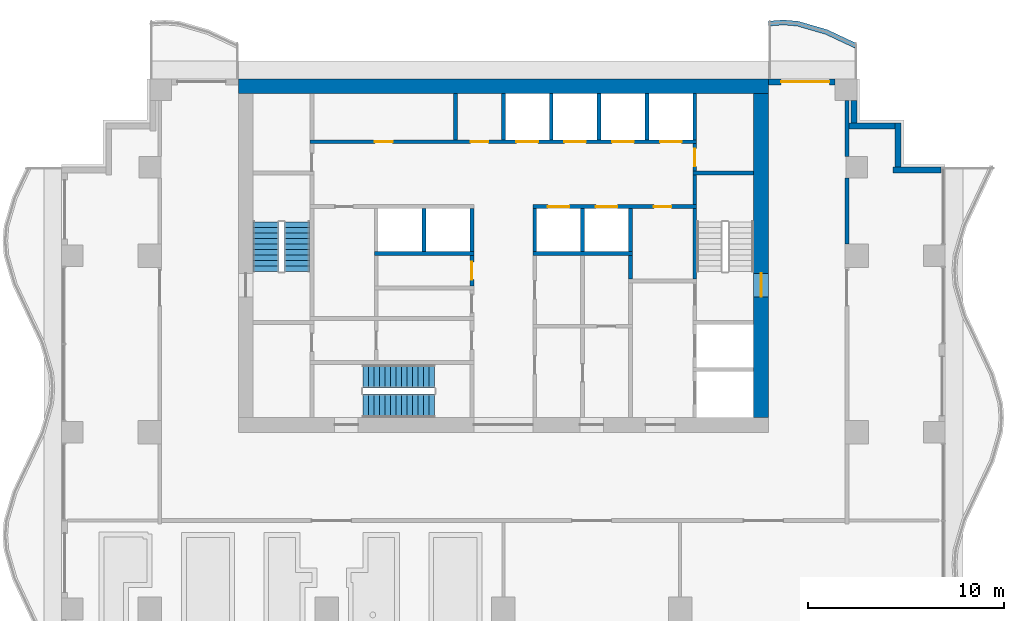
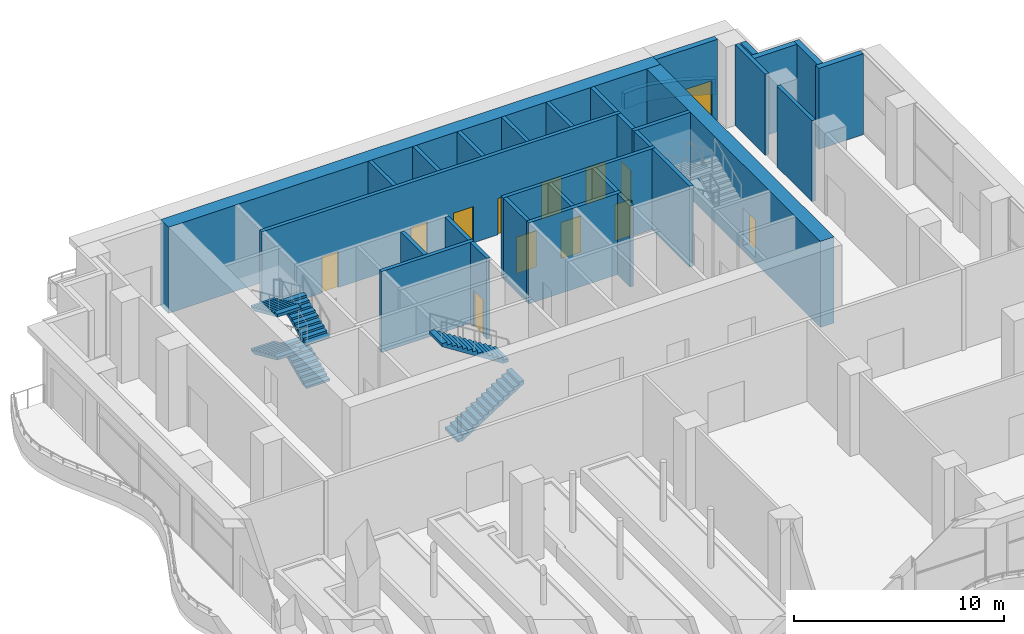
# One storey, part 10 of 16: 31 walls, 13 doors, 6 stair flights, 13 openings, 2 elements without a shape of their own.
"""IFC4 building model written with IfcOpenShell, lengths in metres."""

from ifc_helpers import new_model, si_unit, direction, frame, frame_2d, origin, place, context, subcontext, project, spatial, polyline, rectangle, outline, extrude, material, layer, layer_set, type_object, element, fill, aggregate, save


model = new_model("IFC4")

# Units and contexts
model_context = context("Model", 3, precision=1e-05, world=origin(), true_north=direction((0.0, 1.0)))
body_context = subcontext(model_context, "Body", "Model", "MODEL_VIEW")
ifc_project = project(units=[si_unit("LENGTHUNIT", "METRE"), si_unit("AREAUNIT", "SQUARE_METRE"), si_unit("VOLUMEUNIT", "CUBIC_METRE"), si_unit("PLANEANGLEUNIT", "RADIAN"), si_unit("MASSUNIT", "GRAM", prefix="KILO")], contexts=[model_context])

# Site, building, storey
site_placement = place(None, origin())
site = spatial("IfcSite", under=ifc_project, at=site_placement, CompositionType="ELEMENT")
building_placement = place(site_placement, origin())
building = spatial("IfcBuilding", under=site, at=building_placement, Name="Orbiselva Terraces", CompositionType="ELEMENT")
storey_placement = place(building_placement, frame((0.0, 0.0, 174.4)))
storey = spatial("IfcBuildingStorey", under=building, at=storey_placement, Name="L44", CompositionType="ELEMENT", Elevation=174.4)

# Wall, opening, door
ifc_material_1 = material(Name="Concrete C80/95", Category="concrete")
ifc_layer_1 = layer(ifc_material_1, 0.75)
ifc_layer_set_1 = layer_set([ifc_layer_1], Name="Concrete C80/95")
wall_type_1 = type_object("IfcWallType", Name="CORE WALL 750", PredefinedType="SHEAR", material=ifc_layer_set_1)
wall_1_placement = place(storey_placement, frame((13.125, 5.25, -0.3), z_axis=(0.0, 0.0, 1.0), x_axis=(0.0, 1.0, 0.0)))
wall_1 = element("IfcWall", 1, at=wall_1_placement, inside=storey, type_object=wall_type_1, Name="Core wall L44 east", PredefinedType="SHEAR", context=body_context, shape_type="SweptSolid", body=[
    extrude(rectangle(XDim=16.5, YDim=0.75, at=frame_2d((8.25, 0.0))), origin(), (0.0, 0.0, 1.0), 5.0),
])
opening_1_placement = place(wall_1_placement, frame((6.15, 0.0, 0.3)))
opening_1 = element("IfcOpeningElement", 2, at=opening_1_placement, cuts=wall_1, Name="Opening DS1200", PredefinedType="OPENING", context=body_context, shape_type="SweptSolid", body=[
    extrude(rectangle(XDim=1.2, YDim=2.2, at=frame_2d((0.6, 1.1))), frame((0.0, 0.385, 0.0), z_axis=(0.0, -1.0, 0.0), x_axis=(1.0, 0.0, 0.0)), (0.0, 0.0, 1.0), 0.77),
])
ifc_material_2 = material(Name="Steel fire door", Category="steel")
door_type_1 = type_object("IfcDoorType", Name="STAIR DOOR 1200", OperationType="NOTDEFINED", PredefinedType="DOOR", material=ifc_material_2)
door_1_placement = place(opening_1_placement, frame((1.2, 0.0, 0.0), z_axis=(0.0, 0.0, 1.0), x_axis=(-1.0, 0.0, 0.0)))
door_1 = element("IfcDoor", 3, at=door_1_placement, inside=storey, type_object=door_type_1, Name="L44 EXIT STAIR S2 door", OperationType="SINGLE_SWING_LEFT", OverallHeight=2.2, OverallWidth=1.2, PredefinedType="DOOR", context=body_context, shape_type="SweptSolid", body=[
    extrude(rectangle(XDim=1.2, YDim=2.2, at=frame_2d((0.6, 1.1))), frame((0.0, 0.025, 0.0), z_axis=(0.0, -1.0, 0.0), x_axis=(1.0, 0.0, 0.0)), (0.0, 0.0, 1.0), 0.05),
])
fill(opening_1, door_1)

# Walls
ifc_layer_2 = layer(ifc_material_1, 0.75)
ifc_layer_set_2 = layer_set([ifc_layer_2], Name="Concrete C80/95")
wall_type_2 = type_object("IfcWallType", Name="CORE WALL 750 EXTERNAL", PredefinedType="SHEAR", material=ifc_layer_set_2)
wall_2_placement = place(storey_placement, frame((13.5, 22.125, -0.3), z_axis=(0.0, 0.0, 1.0), x_axis=(-1.0, 0.0, 0.0)))
element("IfcWall", 4, at=wall_2_placement, inside=storey, type_object=wall_type_2, Name="Core wall L44 north", PredefinedType="SHEAR", context=body_context, shape_type="SweptSolid", body=[
    extrude(rectangle(XDim=27.0, YDim=0.75, at=frame_2d((13.5, 0.0))), origin(), (0.0, 0.0, 1.0), 5.0),
])
ifc_material_3 = material(Name="Masonry blockwork", Category="masonry")
ifc_layer_3 = layer(ifc_material_3, 0.2)
ifc_layer_set_3 = layer_set([ifc_layer_3], Name="Masonry blockwork")
wall_type_3 = type_object("IfcWallType", Name="CORE-WALL-PARTITION-200", PredefinedType="PARTITIONING", material=ifc_layer_set_3)
wall_3_placement = place(storey_placement, frame((-2.4375, 19.4, 0.0), z_axis=(0.0, 0.0, 1.0), x_axis=(0.0, 1.0, 0.0)))
element("IfcWall", 5, at=wall_3_placement, inside=storey, type_object=wall_type_3, Name="L44 core wall 20", PredefinedType="PARTITIONING", context=body_context, shape_type="SweptSolid", body=[
    extrude(rectangle(XDim=2.35, YDim=0.2, at=frame_2d((1.175, 0.0))), origin(), (0.0, 0.0, 1.0), 4.7),
])

# Wall, opening, door
wall_4_placement = place(storey_placement, frame((-1.6, 11.95, 0.0), z_axis=(0.0, 0.0, 1.0), x_axis=(0.0, 1.0, 0.0)))
wall_4 = element("IfcWall", 6, at=wall_4_placement, inside=storey, type_object=wall_type_3, Name="L44 core wall 24", PredefinedType="PARTITIONING", context=body_context, shape_type="SweptSolid", body=[
    extrude(rectangle(XDim=1.55, YDim=0.2, at=frame_2d((0.775, 0.0))), origin(), (0.0, 0.0, 1.0), 4.7),
])
opening_2_placement = place(wall_4_placement, frame((0.325, 0.0, 0.0)))
opening_2 = element("IfcOpeningElement", 7, at=opening_2_placement, cuts=wall_4, Name="Opening DR900", PredefinedType="OPENING", context=body_context, shape_type="SweptSolid", body=[
    extrude(rectangle(XDim=0.9, YDim=2.1, at=frame_2d((0.45, 1.05))), frame((0.0, 0.11, 0.0), z_axis=(0.0, -1.0, 0.0), x_axis=(1.0, 0.0, 0.0)), (0.0, 0.0, 1.0), 0.22),
])
door_type_2 = type_object("IfcDoorType", Name="ROOM DOOR 900", OperationType="NOTDEFINED", PredefinedType="DOOR", material=ifc_material_2)
door_2_placement = place(opening_2_placement, origin())
door_2 = element("IfcDoor", 8, at=door_2_placement, inside=storey, type_object=door_type_2, Name="L44 LINEN STORE door", OperationType="SINGLE_SWING_LEFT", OverallHeight=2.1, OverallWidth=0.9, PredefinedType="DOOR", context=body_context, shape_type="SweptSolid", body=[
    extrude(rectangle(XDim=0.9, YDim=2.1, at=frame_2d((0.45, 1.05))), frame((0.0, 0.025, 0.0), z_axis=(0.0, -1.0, 0.0), x_axis=(1.0, 0.0, 0.0)), (0.0, 0.0, 1.0), 0.05),
])
fill(opening_2, door_2)

# Wall
wall_5_placement = place(storey_placement, frame((6.475, 12.3, 0.0), z_axis=(0.0, 0.0, 1.0), x_axis=(0.0, 1.0, 0.0)))
element("IfcWall", 9, at=wall_5_placement, inside=storey, type_object=wall_type_3, Name="L44 core wall 41", PredefinedType="PARTITIONING", context=body_context, shape_type="SweptSolid", body=[
    extrude(rectangle(XDim=1.2, YDim=0.2, at=frame_2d((0.6, 0.0))), origin(), (0.0, 0.0, 1.0), 4.7),
])

# Wall, opening, door
wall_6_placement = place(storey_placement, frame((9.75, 19.2, 0.0), z_axis=(0.0, 0.0, 1.0), x_axis=(0.0, -1.0, 0.0)))
wall_6 = element("IfcWall", 10, at=wall_6_placement, inside=storey, type_object=wall_type_3, Name="L44 core wall 52", PredefinedType="PARTITIONING", context=body_context, shape_type="SweptSolid", body=[
    extrude(rectangle(XDim=1.4, YDim=0.2, at=frame_2d((0.7, 0.0))), origin(), (0.0, 0.0, 1.0), 4.7),
])
opening_3_placement = place(wall_6_placement, frame((0.25, 0.0, 0.0)))
opening_3 = element("IfcOpeningElement", 11, at=opening_3_placement, cuts=wall_6, Name="Opening DR900", PredefinedType="OPENING", context=body_context, shape_type="SweptSolid", body=[
    extrude(rectangle(XDim=0.9, YDim=2.1, at=frame_2d((0.45, 1.05))), frame((0.0, 0.11, 0.0), z_axis=(0.0, -1.0, 0.0), x_axis=(1.0, 0.0, 0.0)), (0.0, 0.0, 1.0), 0.22),
])
door_3_placement = place(opening_3_placement, origin())
door_3 = element("IfcDoor", 12, at=door_3_placement, inside=storey, type_object=door_type_2, Name="L44 ELECTRICAL RISER ROOM door", OperationType="SINGLE_SWING_RIGHT", OverallHeight=2.1, OverallWidth=0.9, PredefinedType="DOOR", context=body_context, shape_type="SweptSolid", body=[
    extrude(rectangle(XDim=0.9, YDim=2.1, at=frame_2d((0.45, 1.05))), frame((0.0, 0.025, 0.0), z_axis=(0.0, -1.0, 0.0), x_axis=(1.0, 0.0, 0.0)), (0.0, 0.0, 1.0), 0.05),
])
fill(opening_3, door_3)

# Walls
ifc_material_4 = material(Name="Concrete C40/50", Category="concrete")
ifc_layer_4 = layer(ifc_material_4, 0.2)
ifc_layer_set_4 = layer_set([ifc_layer_4], Name="Concrete C40/50")
wall_type_4 = type_object("IfcWallType", Name="CORE-WALL-SHAFT-200", PredefinedType="PARTITIONING", material=ifc_layer_set_4)
for number, where, z_axis, x_axis, name in (
    (13, (-4.0375, 13.7, 0.0), (0.0, 0.0, 1.0), (0.0, 1.0, 0.0), "L44 core wall 19"),
    (14, (-1.6, 13.7, 0.0), (0.0, 0.0, 1.0), (0.0, 1.0, 0.0), "L44 core wall 25"),
):
    element("IfcWall", number, at=place(storey_placement, frame(where, z_axis=z_axis, x_axis=x_axis)), inside=storey, type_object=wall_type_4, Name=name, PredefinedType="PARTITIONING", context=body_context, shape_type="SweptSolid", body=[
        extrude(rectangle(XDim=2.2, YDim=0.2, at=frame_2d((1.1, 0.0))), origin(), (0.0, 0.0, 1.0), 4.7),
    ])
wall_7_placement = place(storey_placement, frame((0.0, 19.4, 0.0), z_axis=(0.0, 0.0, 1.0), x_axis=(0.0, 1.0, 0.0)))
element("IfcWall", 15, at=wall_7_placement, inside=storey, type_object=wall_type_4, Name="L44 core wall 26", PredefinedType="PARTITIONING", context=body_context, shape_type="SweptSolid", body=[
    extrude(rectangle(XDim=2.35, YDim=0.2, at=frame_2d((1.175, 0.0))), origin(), (0.0, 0.0, 1.0), 4.7),
])
wall_8_placement = place(storey_placement, frame((1.6, 13.7, 0.0), z_axis=(0.0, 0.0, 1.0), x_axis=(0.0, 1.0, 0.0)))
element("IfcWall", 16, at=wall_8_placement, inside=storey, type_object=wall_type_4, Name="L44 core wall 31", PredefinedType="PARTITIONING", context=body_context, shape_type="SweptSolid", body=[
    extrude(rectangle(XDim=2.2, YDim=0.2, at=frame_2d((1.1, 0.0))), origin(), (0.0, 0.0, 1.0), 4.7),
])
wall_9_placement = place(storey_placement, frame((2.4375, 19.4, 0.0), z_axis=(0.0, 0.0, 1.0), x_axis=(0.0, 1.0, 0.0)))
element("IfcWall", 17, at=wall_9_placement, inside=storey, type_object=wall_type_4, Name="L44 core wall 33", PredefinedType="PARTITIONING", context=body_context, shape_type="SweptSolid", body=[
    extrude(rectangle(XDim=2.35, YDim=0.2, at=frame_2d((1.175, 0.0))), origin(), (0.0, 0.0, 1.0), 4.7),
])
wall_10_placement = place(storey_placement, frame((4.0375, 13.7, 0.0), z_axis=(0.0, 0.0, 1.0), x_axis=(0.0, 1.0, 0.0)))
element("IfcWall", 18, at=wall_10_placement, inside=storey, type_object=wall_type_4, Name="L44 core wall 36", PredefinedType="PARTITIONING", context=body_context, shape_type="SweptSolid", body=[
    extrude(rectangle(XDim=2.2, YDim=0.2, at=frame_2d((1.1, 0.0))), origin(), (0.0, 0.0, 1.0), 4.7),
])
wall_11_placement = place(storey_placement, frame((4.875, 19.4, 0.0), z_axis=(0.0, 0.0, 1.0), x_axis=(0.0, 1.0, 0.0)))
element("IfcWall", 19, at=wall_11_placement, inside=storey, type_object=wall_type_4, Name="L44 core wall 37", PredefinedType="PARTITIONING", context=body_context, shape_type="SweptSolid", body=[
    extrude(rectangle(XDim=2.35, YDim=0.2, at=frame_2d((1.175, 0.0))), origin(), (0.0, 0.0, 1.0), 4.7),
])
wall_12_placement = place(storey_placement, frame((6.475, 13.7, 0.0), z_axis=(0.0, 0.0, 1.0), x_axis=(0.0, 1.0, 0.0)))
element("IfcWall", 20, at=wall_12_placement, inside=storey, type_object=wall_type_4, Name="L44 core wall 42", PredefinedType="PARTITIONING", context=body_context, shape_type="SweptSolid", body=[
    extrude(rectangle(XDim=2.2, YDim=0.2, at=frame_2d((1.1, 0.0))), origin(), (0.0, 0.0, 1.0), 4.7),
])
for number, where, z_axis, x_axis, name in (
    (21, (7.3125, 19.4, 0.0), (0.0, 0.0, 1.0), (0.0, 1.0, 0.0), "L44 core wall 43"),
    (22, (9.75, 19.4, 0.0), (0.0, 0.0, 1.0), (0.0, 1.0, 0.0), "L44 core wall 53"),
):
    element("IfcWall", number, at=place(storey_placement, frame(where, z_axis=z_axis, x_axis=x_axis)), inside=storey, type_object=wall_type_4, Name=name, PredefinedType="PARTITIONING", context=body_context, shape_type="SweptSolid", body=[
        extrude(rectangle(XDim=2.35, YDim=0.2, at=frame_2d((1.175, 0.0))), origin(), (0.0, 0.0, 1.0), 4.7),
    ])

# Wall, openings, doors
ifc_material_5 = material(Name="Concrete C60/75", Category="concrete")
ifc_layer_5 = layer(ifc_material_5, 0.2)
ifc_layer_set_5 = layer_set([ifc_layer_5], Name="Concrete C60/75")
wall_type_5 = type_object("IfcWallType", Name="CORE-WALL-SHEAR-200", PredefinedType="SHEAR", material=ifc_layer_set_5)
wall_13_placement = place(storey_placement, frame((-9.85, 19.3, 0.0), z_axis=(0.0, 0.0, 1.0), x_axis=(1.0, 0.0, 0.0)))
wall_13 = element("IfcWall", 23, at=wall_13_placement, inside=storey, type_object=wall_type_5, Name="L44 core wall 11", PredefinedType="SHEAR", context=body_context, shape_type="SweptSolid", body=[
    extrude(rectangle(XDim=19.7, YDim=0.2, at=frame_2d((9.85, 0.0))), origin(), (0.0, 0.0, 1.0), 4.7),
])
opening_4_placement = place(wall_13_placement, frame((10.51875, 0.0, 0.0)))
opening_4 = element("IfcOpeningElement", 24, at=opening_4_placement, cuts=wall_13, Name="Opening LD-HR1", PredefinedType="OPENING", context=body_context, shape_type="SweptSolid", body=[
    extrude(rectangle(XDim=1.1, YDim=2.1, at=frame_2d((0.55, 1.05))), frame((0.0, 0.11, 0.0), z_axis=(0.0, -1.0, 0.0), x_axis=(1.0, 0.0, 0.0)), (0.0, 0.0, 1.0), 0.22),
])
opening_5_placement = place(wall_13_placement, frame((12.95625, 0.0, 0.0)))
opening_5 = element("IfcOpeningElement", 25, at=opening_5_placement, cuts=wall_13, Name="Opening LD-HR2", PredefinedType="OPENING", context=body_context, shape_type="SweptSolid", body=[
    extrude(rectangle(XDim=1.1, YDim=2.1, at=frame_2d((0.55, 1.05))), frame((0.0, 0.11, 0.0), z_axis=(0.0, -1.0, 0.0), x_axis=(1.0, 0.0, 0.0)), (0.0, 0.0, 1.0), 0.22),
])
opening_6_placement = place(wall_13_placement, frame((15.39375, 0.0, 0.0)))
opening_6 = element("IfcOpeningElement", 26, at=opening_6_placement, cuts=wall_13, Name="Opening LD-HR3", PredefinedType="OPENING", context=body_context, shape_type="SweptSolid", body=[
    extrude(rectangle(XDim=1.1, YDim=2.1, at=frame_2d((0.55, 1.05))), frame((0.0, 0.11, 0.0), z_axis=(0.0, -1.0, 0.0), x_axis=(1.0, 0.0, 0.0)), (0.0, 0.0, 1.0), 0.22),
])
opening_7_placement = place(wall_13_placement, frame((17.83125, 0.0, 0.0)))
opening_7 = element("IfcOpeningElement", 27, at=opening_7_placement, cuts=wall_13, Name="Opening LD-HR4", PredefinedType="OPENING", context=body_context, shape_type="SweptSolid", body=[
    extrude(rectangle(XDim=1.1, YDim=2.1, at=frame_2d((0.55, 1.05))), frame((0.0, 0.11, 0.0), z_axis=(0.0, -1.0, 0.0), x_axis=(1.0, 0.0, 0.0)), (0.0, 0.0, 1.0), 0.22),
])
opening_8_placement = place(wall_13_placement, frame((3.3062, 0.0, 0.0)))
opening_8 = element("IfcOpeningElement", 28, at=opening_8_placement, cuts=wall_13, Name="Opening DR900", PredefinedType="OPENING", context=body_context, shape_type="SweptSolid", body=[
    extrude(rectangle(XDim=0.9, YDim=2.1, at=frame_2d((0.45, 1.05))), frame((0.0, 0.11, 0.0), z_axis=(0.0, -1.0, 0.0), x_axis=(1.0, 0.0, 0.0)), (0.0, 0.0, 1.0), 0.22),
])
opening_9_placement = place(wall_13_placement, frame((8.1812, 0.0, 0.0)))
opening_9 = element("IfcOpeningElement", 29, at=opening_9_placement, cuts=wall_13, Name="Opening DR900", PredefinedType="OPENING", context=body_context, shape_type="SweptSolid", body=[
    extrude(rectangle(XDim=0.9, YDim=2.1, at=frame_2d((0.45, 1.05))), frame((0.0, 0.11, 0.0), z_axis=(0.0, -1.0, 0.0), x_axis=(1.0, 0.0, 0.0)), (0.0, 0.0, 1.0), 0.22),
])
ifc_material_6 = material(Name="Stainless steel landing door", Category="steel")
door_type_3 = type_object("IfcDoorType", Name="LANDING DOOR 1100", OperationType="SLIDING_TO_LEFT", PredefinedType="DOOR", material=ifc_material_6)
door_4_placement = place(opening_4_placement, origin())
door_4 = element("IfcDoor", 30, at=door_4_placement, inside=storey, type_object=door_type_3, Name="L44 landing door HR1", OperationType="SLIDING_TO_RIGHT", OverallHeight=2.1, OverallWidth=1.1, PredefinedType="DOOR", context=body_context, shape_type="SweptSolid", body=[
    extrude(rectangle(XDim=1.1, YDim=2.1, at=frame_2d((0.55, 1.05))), frame((0.0, 0.025, 0.0), z_axis=(0.0, -1.0, 0.0), x_axis=(1.0, 0.0, 0.0)), (0.0, 0.0, 1.0), 0.05),
])
fill(opening_4, door_4)
door_5_placement = place(opening_5_placement, origin())
door_5 = element("IfcDoor", 31, at=door_5_placement, inside=storey, type_object=door_type_3, Name="L44 landing door HR2", OperationType="SLIDING_TO_RIGHT", OverallHeight=2.1, OverallWidth=1.1, PredefinedType="DOOR", context=body_context, shape_type="SweptSolid", body=[
    extrude(rectangle(XDim=1.1, YDim=2.1, at=frame_2d((0.55, 1.05))), frame((0.0, 0.025, 0.0), z_axis=(0.0, -1.0, 0.0), x_axis=(1.0, 0.0, 0.0)), (0.0, 0.0, 1.0), 0.05),
])
fill(opening_5, door_5)
door_6_placement = place(opening_6_placement, origin())
door_6 = element("IfcDoor", 32, at=door_6_placement, inside=storey, type_object=door_type_3, Name="L44 landing door HR3", OperationType="SLIDING_TO_RIGHT", OverallHeight=2.1, OverallWidth=1.1, PredefinedType="DOOR", context=body_context, shape_type="SweptSolid", body=[
    extrude(rectangle(XDim=1.1, YDim=2.1, at=frame_2d((0.55, 1.05))), frame((0.0, 0.025, 0.0), z_axis=(0.0, -1.0, 0.0), x_axis=(1.0, 0.0, 0.0)), (0.0, 0.0, 1.0), 0.05),
])
fill(opening_6, door_6)
door_7_placement = place(opening_7_placement, origin())
door_7 = element("IfcDoor", 33, at=door_7_placement, inside=storey, type_object=door_type_3, Name="L44 landing door HR4", OperationType="SLIDING_TO_RIGHT", OverallHeight=2.1, OverallWidth=1.1, PredefinedType="DOOR", context=body_context, shape_type="SweptSolid", body=[
    extrude(rectangle(XDim=1.1, YDim=2.1, at=frame_2d((0.55, 1.05))), frame((0.0, 0.025, 0.0), z_axis=(0.0, -1.0, 0.0), x_axis=(1.0, 0.0, 0.0)), (0.0, 0.0, 1.0), 0.05),
])
fill(opening_7, door_7)
door_8_placement = place(opening_8_placement, origin())
door_8 = element("IfcDoor", 34, at=door_8_placement, inside=storey, type_object=door_type_2, Name="L44 HOUSEKEEPING door", OperationType="SINGLE_SWING_LEFT", OverallHeight=2.1, OverallWidth=0.9, PredefinedType="DOOR", context=body_context, shape_type="SweptSolid", body=[
    extrude(rectangle(XDim=0.9, YDim=2.1, at=frame_2d((0.45, 1.05))), frame((0.0, 0.025, 0.0), z_axis=(0.0, -1.0, 0.0), x_axis=(1.0, 0.0, 0.0)), (0.0, 0.0, 1.0), 0.05),
])
fill(opening_8, door_8)
door_9_placement = place(opening_9_placement, origin())
door_9 = element("IfcDoor", 35, at=door_9_placement, inside=storey, type_object=door_type_2, Name="L44 WC door", OperationType="SINGLE_SWING_LEFT", OverallHeight=2.1, OverallWidth=0.9, PredefinedType="DOOR", context=body_context, shape_type="SweptSolid", body=[
    extrude(rectangle(XDim=0.9, YDim=2.1, at=frame_2d((0.45, 1.05))), frame((0.0, 0.025, 0.0), z_axis=(0.0, -1.0, 0.0), x_axis=(1.0, 0.0, 0.0)), (0.0, 0.0, 1.0), 0.05),
])
fill(opening_9, door_9)

# Walls
for number, where, z_axis, x_axis, name in (
    (36, (-6.575, 13.6, 0.0), (0.0, 0.0, 1.0), (1.0, 0.0, 0.0), "L44 core wall 17"),
    (37, (1.5, 13.6, 0.0), (0.0, 0.0, 1.0), (1.0, 0.0, 0.0), "L44 core wall 30"),
):
    element("IfcWall", number, at=place(storey_placement, frame(where, z_axis=z_axis, x_axis=x_axis)), inside=storey, type_object=wall_type_5, Name=name, PredefinedType="SHEAR", context=body_context, shape_type="SweptSolid", body=[
        extrude(rectangle(XDim=5.075, YDim=0.2, at=frame_2d((2.5375, 0.0))), origin(), (0.0, 0.0, 1.0), 4.7),
    ])

# Wall, openings, doors
wall_14_placement = place(storey_placement, frame((9.85, 16.0, 0.0), z_axis=(0.0, 0.0, 1.0), x_axis=(-1.0, 0.0, 0.0)))
wall_14 = element("IfcWall", 38, at=wall_14_placement, inside=storey, type_object=wall_type_5, Name="L44 core wall 32", PredefinedType="SHEAR", context=body_context, shape_type="SweptSolid", body=[
    extrude(rectangle(XDim=8.35, YDim=0.2, at=frame_2d((4.175, 0.0))), origin(), (0.0, 0.0, 1.0), 4.7),
])
opening_10_placement = place(wall_14_placement, frame((6.48125, 0.0, 0.0)))
opening_10 = element("IfcOpeningElement", 39, at=opening_10_placement, cuts=wall_14, Name="Opening LD-HR5", PredefinedType="OPENING", context=body_context, shape_type="SweptSolid", body=[
    extrude(rectangle(XDim=1.1, YDim=2.1, at=frame_2d((0.55, 1.05))), frame((0.0, 0.11, 0.0), z_axis=(0.0, -1.0, 0.0), x_axis=(1.0, 0.0, 0.0)), (0.0, 0.0, 1.0), 0.22),
])
opening_11_placement = place(wall_14_placement, frame((4.04375, 0.0, 0.0)))
opening_11 = element("IfcOpeningElement", 40, at=opening_11_placement, cuts=wall_14, Name="Opening LD-HR6", PredefinedType="OPENING", context=body_context, shape_type="SweptSolid", body=[
    extrude(rectangle(XDim=1.1, YDim=2.1, at=frame_2d((0.55, 1.05))), frame((0.0, 0.11, 0.0), z_axis=(0.0, -1.0, 0.0), x_axis=(1.0, 0.0, 0.0)), (0.0, 0.0, 1.0), 0.22),
])
opening_12_placement = place(wall_14_placement, frame((1.2875, 0.0, 0.0)))
opening_12 = element("IfcOpeningElement", 41, at=opening_12_placement, cuts=wall_14, Name="Opening DR900", PredefinedType="OPENING", context=body_context, shape_type="SweptSolid", body=[
    extrude(rectangle(XDim=0.9, YDim=2.1, at=frame_2d((0.45, 1.05))), frame((0.0, 0.11, 0.0), z_axis=(0.0, -1.0, 0.0), x_axis=(1.0, 0.0, 0.0)), (0.0, 0.0, 1.0), 0.22),
])
door_10_placement = place(opening_10_placement, origin())
door_10 = element("IfcDoor", 42, at=door_10_placement, inside=storey, type_object=door_type_3, Name="L44 landing door HR5", OperationType="SLIDING_TO_RIGHT", OverallHeight=2.1, OverallWidth=1.1, PredefinedType="DOOR", context=body_context, shape_type="SweptSolid", body=[
    extrude(rectangle(XDim=1.1, YDim=2.1, at=frame_2d((0.55, 1.05))), frame((0.0, 0.025, 0.0), z_axis=(0.0, -1.0, 0.0), x_axis=(1.0, 0.0, 0.0)), (0.0, 0.0, 1.0), 0.05),
])
fill(opening_10, door_10)
door_11_placement = place(opening_11_placement, origin())
door_11 = element("IfcDoor", 43, at=door_11_placement, inside=storey, type_object=door_type_3, Name="L44 landing door HR6", OperationType="SLIDING_TO_RIGHT", OverallHeight=2.1, OverallWidth=1.1, PredefinedType="DOOR", context=body_context, shape_type="SweptSolid", body=[
    extrude(rectangle(XDim=1.1, YDim=2.1, at=frame_2d((0.55, 1.05))), frame((0.0, 0.025, 0.0), z_axis=(0.0, -1.0, 0.0), x_axis=(1.0, 0.0, 0.0)), (0.0, 0.0, 1.0), 0.05),
])
fill(opening_11, door_11)
door_12_placement = place(opening_12_placement, origin())
door_12 = element("IfcDoor", 44, at=door_12_placement, inside=storey, type_object=door_type_2, Name="L44 PIPE RISER ROOM door", OperationType="SINGLE_SWING_LEFT", OverallHeight=2.1, OverallWidth=0.9, PredefinedType="DOOR", context=body_context, shape_type="SweptSolid", body=[
    extrude(rectangle(XDim=0.9, YDim=2.1, at=frame_2d((0.45, 1.05))), frame((0.0, 0.025, 0.0), z_axis=(0.0, -1.0, 0.0), x_axis=(1.0, 0.0, 0.0)), (0.0, 0.0, 1.0), 0.05),
])
fill(opening_12, door_12)

# Walls
wall_15_placement = place(storey_placement, frame((9.75, 12.3, 0.0), z_axis=(0.0, 0.0, 1.0), x_axis=(0.0, 1.0, 0.0)))
element("IfcWall", 45, at=wall_15_placement, inside=storey, type_object=wall_type_5, Name="L44 core wall 49", PredefinedType="SHEAR", context=body_context, shape_type="SweptSolid", body=[
    extrude(rectangle(XDim=3.6, YDim=0.2, at=frame_2d((1.8, 0.0))), origin(), (0.0, 0.0, 1.0), 4.7),
])
wall_16_placement = place(storey_placement, frame((9.75, 16.1, 0.0), z_axis=(0.0, 0.0, 1.0), x_axis=(0.0, 1.0, 0.0)))
element("IfcWall", 46, at=wall_16_placement, inside=storey, type_object=wall_type_5, Name="L44 core wall 50", PredefinedType="SHEAR", context=body_context, shape_type="SweptSolid", body=[
    extrude(rectangle(XDim=1.5, YDim=0.2, at=frame_2d((0.75, 0.0))), origin(), (0.0, 0.0, 1.0), 4.7),
])
wall_17_placement = place(storey_placement, frame((9.65, 17.7, 0.0), z_axis=(0.0, 0.0, 1.0), x_axis=(1.0, 0.0, 0.0)))
element("IfcWall", 47, at=wall_17_placement, inside=storey, type_object=wall_type_5, Name="L44 core wall 51", PredefinedType="SHEAR", context=body_context, shape_type="SweptSolid", body=[
    extrude(rectangle(XDim=3.1, YDim=0.2, at=frame_2d((1.55, 0.0))), origin(), (0.0, 0.0, 1.0), 4.7),
])
ifc_layer_6 = layer(ifc_material_4, 0.25)
ifc_layer_set_6 = layer_set([ifc_layer_6], Name="Concrete C40/50")
wall_type_6 = type_object("IfcWallType", Name="ENV-PLANTER-250x900", PredefinedType="USERDEFINED", material=ifc_layer_set_6)
wall_18_placement = place(storey_placement, origin())
element("IfcWall", 48, at=wall_18_placement, inside=storey, type_object=wall_type_6, Name="Balcony planter L44 NE", ObjectType="PLANTER", PredefinedType="USERDEFINED", context=body_context, shape_type="SweptSolid", body=[
    extrude(outline(polyline([(18.0, 24.3), (16.5, 25.005342), (15.0, 25.441268), (14.25, 25.5), (13.5, 25.441268), (13.519518, 25.192031), (14.25, 25.249235), (14.954886, 25.194035), (16.411382, 24.770753), (17.893617, 24.073764), (18.0, 24.3)])), origin(), (0.0, 0.0, 1.0), 0.9),
])
ifc_material_7 = material(Name="Terracotta cladding on masonry backing", Category="masonry")
ifc_layer_7 = layer(ifc_material_7, 0.3)
ifc_layer_set_7 = layer_set([ifc_layer_7], Name="Terracotta cladding on masonry backing")
wall_type_7 = type_object("IfcWallType", Name="ENV-WALL-TERRACOTTA-300", PredefinedType="SOLIDWALL", material=ifc_layer_set_7)
wall_19_placement = place(storey_placement, frame((19.85, 17.85, 0.0), z_axis=(0.0, 0.0, 1.0), x_axis=(1.0, 0.0, 0.0)))
element("IfcWall", 49, at=wall_19_placement, inside=storey, type_object=wall_type_7, Name="Facade wall L44 STEP", PredefinedType="SOLIDWALL", context=body_context, shape_type="SweptSolid", body=[
    extrude(rectangle(XDim=2.45, YDim=0.3, at=frame_2d((1.225, 0.0))), origin(), (0.0, 0.0, 1.0), 4.7),
])
wall_20_placement = place(storey_placement, frame((20.1, 20.25, 0.0), z_axis=(0.0, 0.0, 1.0), x_axis=(0.0, -1.0, 0.0)))
element("IfcWall", 50, at=wall_20_placement, inside=storey, type_object=wall_type_7, Name="Facade wall L44 STEP", PredefinedType="SOLIDWALL", context=body_context, shape_type="SweptSolid", body=[
    extrude(rectangle(XDim=2.25, YDim=0.3, at=frame_2d((1.125, 0.0))), origin(), (0.0, 0.0, 1.0), 4.7),
])
wall_21_placement = place(storey_placement, frame((17.6, 20.1, 0.0), z_axis=(0.0, 0.0, 1.0), x_axis=(1.0, 0.0, 0.0)))
element("IfcWall", 51, at=wall_21_placement, inside=storey, type_object=wall_type_7, Name="Facade wall L44 STEP", PredefinedType="SOLIDWALL", context=body_context, shape_type="SweptSolid", body=[
    extrude(rectangle(XDim=2.35, YDim=0.3, at=frame_2d((1.175, 0.0))), origin(), (0.0, 0.0, 1.0), 4.7),
])
wall_22_placement = place(storey_placement, frame((17.85, 21.4, 0.0), z_axis=(0.0, 0.0, 1.0), x_axis=(0.0, -1.0, 0.0)))
element("IfcWall", 52, at=wall_22_placement, inside=storey, type_object=wall_type_7, Name="Facade wall L44 STEP", PredefinedType="SOLIDWALL", context=body_context, shape_type="SweptSolid", body=[
    extrude(rectangle(XDim=1.15, YDim=0.3, at=frame_2d((0.575, 0.0))), origin(), (0.0, 0.0, 1.0), 4.7),
])

# Wall, opening, door
wall_23_placement = place(storey_placement, frame((13.5, 22.35, 0.0), z_axis=(0.0, 0.0, 1.0), x_axis=(1.0, 0.0, 0.0)))
wall_23 = element("IfcWall", 53, at=wall_23_placement, inside=storey, type_object=wall_type_7, Name="Facade wall L44 NE", PredefinedType="SOLIDWALL", context=body_context, shape_type="SweptSolid", body=[
    extrude(rectangle(XDim=3.4, YDim=0.3, at=frame_2d((1.7, 0.0))), origin(), (0.0, 0.0, 1.0), 4.7),
])
opening_13_placement = place(wall_23_placement, frame((0.65, 0.0, 0.0)))
opening_13 = element("IfcOpeningElement", 54, at=opening_13_placement, cuts=wall_23, Name="Opening SKY-3-E06", PredefinedType="OPENING", context=body_context, shape_type="SweptSolid", body=[
    extrude(rectangle(XDim=2.45, YDim=2.4, at=frame_2d((1.225, 1.2))), frame((0.0, 0.16, 0.0), z_axis=(0.0, -1.0, 0.0), x_axis=(1.0, 0.0, 0.0)), (0.0, 0.0, 1.0), 0.32),
])
ifc_material_8 = material(Name="Clear low-e glazing in aluminium frame", Category="aluminium")
door_type_4 = type_object("IfcDoorType", Name="BALCONY DOOR 2450 X 2400", OperationType="DOUBLE_DOOR_SLIDING", PredefinedType="DOOR", material=ifc_material_8)
door_13_placement = place(opening_13_placement, origin())
door_13 = element("IfcDoor", 55, at=door_13_placement, inside=storey, type_object=door_type_4, Name="SKY-3-E06", OperationType="SINGLE_SWING_LEFT", OverallHeight=2.4, OverallWidth=2.45, PredefinedType="DOOR", context=body_context, shape_type="SweptSolid", body=[
    extrude(rectangle(XDim=2.45, YDim=2.4, at=frame_2d((1.225, 1.2))), frame((0.0, 0.025, 0.0), z_axis=(0.0, -1.0, 0.0), x_axis=(1.0, 0.0, 0.0)), (0.0, 0.0, 1.0), 0.05),
])
fill(opening_13, door_13)

# Walls
ifc_material_9 = material(Name="Plasterboard on steel stud partition", Category="steel")
ifc_layer_8 = layer(ifc_material_9, 0.2)
ifc_layer_set_8 = layer_set([ifc_layer_8], Name="Plasterboard on steel stud partition")
wall_type_8 = type_object("IfcWallType", Name="UNIT-ENTRANCE-WALL-200", PredefinedType="PARTITIONING", material=ifc_layer_set_8)
wall_24_placement = place(storey_placement, frame((17.5, 14.1, 0.0), z_axis=(0.0, 0.0, 1.0), x_axis=(0.0, 1.0, 0.0)))
element("IfcWall", 56, at=wall_24_placement, inside=storey, type_object=wall_type_8, Name="PARTITION L44-017", PredefinedType="PARTITIONING", context=body_context, shape_type="SweptSolid", body=[
    extrude(rectangle(XDim=3.35, YDim=0.2, at=frame_2d((1.675, 0.0))), origin(), (0.0, 0.0, 1.0), 4.7),
])
wall_25_placement = place(storey_placement, frame((17.5, 18.55, 0.0), z_axis=(0.0, 0.0, 1.0), x_axis=(0.0, 1.0, 0.0)))
element("IfcWall", 57, at=wall_25_placement, inside=storey, type_object=wall_type_8, Name="PARTITION L44-018", PredefinedType="PARTITIONING", context=body_context, shape_type="SweptSolid", body=[
    extrude(rectangle(XDim=2.85, YDim=0.2, at=frame_2d((1.425, 0.0))), origin(), (0.0, 0.0, 1.0), 4.7),
])

# Stair, stair flights
stair_type_1 = type_object("IfcStairType", Name="CORE-STAIR-1200", PredefinedType="HALF_TURN_STAIR", material=ifc_material_4)
stair_1_placement = place(storey_placement, origin())
stair_1 = element("IfcStair", 58, at=stair_1_placement, inside=storey, type_object=stair_type_1, Name="L44 Exit Stair S3", PredefinedType="HALF_TURN_STAIR")
stair_flight_type_1 = type_object("IfcStairFlightType", Name="CORE-STAIR-FLIGHT-1200", PredefinedType="STRAIGHT", material=ifc_material_4)
stair_flight_1_placement = place(storey_placement, frame((-7.15, 5.85, 0.0), z_axis=(0.0, 0.0, 1.0), x_axis=(1.0, 0.0, 0.0)))
stair_flight_1 = element("IfcStairFlight", 59, at=stair_flight_1_placement, type_object=stair_flight_type_1, Name="S3 flight 1", NumberOfRisers=14, NumberOfTreads=13, PredefinedType="STRAIGHT", RiserHeight=0.178571429, TreadLength=0.28, context=body_context, shape_type="SweptSolid", body=[
    extrude(outline(polyline([(0.0, 0.0), (0.0, 0.178571), (0.28, 0.178571), (0.28, 0.357143), (0.56, 0.357143), (0.56, 0.535714), (0.84, 0.535714), (0.84, 0.714286), (1.12, 0.714286), (1.12, 0.892857), (1.4, 0.892857), (1.4, 1.071429), (1.68, 1.071429), (1.68, 1.25), (1.96, 1.25), (1.96, 1.428571), (2.24, 1.428571), (2.24, 1.607143), (2.52, 1.607143), (2.52, 1.785714), (2.8, 1.785714), (2.8, 1.964286), (3.08, 1.964286), (3.08, 2.142857), (3.36, 2.142857), (3.36, 2.321429), (3.64, 2.321429), (3.64, 2.5), (3.64, 2.14352), (0.278961, 0.0), (0.0, 0.0)])), frame((0.0, 0.6, 0.0), z_axis=(0.0, -1.0, 0.0), x_axis=(1.0, 0.0, 0.0)), (0.0, 0.0, 1.0), 1.2),
])
stair_flight_2_placement = place(storey_placement, frame((-3.51, 7.35, 2.5), z_axis=(0.0, 0.0, 1.0), x_axis=(-1.0, 0.0, 0.0)))
stair_flight_2 = element("IfcStairFlight", 60, at=stair_flight_2_placement, type_object=stair_flight_type_1, Name="S3 flight 2", NumberOfRisers=14, NumberOfTreads=13, PredefinedType="STRAIGHT", RiserHeight=0.178571429, TreadLength=0.28, context=body_context, shape_type="SweptSolid", body=[
    extrude(outline(polyline([(0.0, 0.0), (0.0, 0.178571), (0.28, 0.178571), (0.28, 0.357143), (0.56, 0.357143), (0.56, 0.535714), (0.84, 0.535714), (0.84, 0.714286), (1.12, 0.714286), (1.12, 0.892857), (1.4, 0.892857), (1.4, 1.071429), (1.68, 1.071429), (1.68, 1.25), (1.96, 1.25), (1.96, 1.428571), (2.24, 1.428571), (2.24, 1.607143), (2.52, 1.607143), (2.52, 1.785714), (2.8, 1.785714), (2.8, 1.964286), (3.08, 1.964286), (3.08, 2.142857), (3.36, 2.142857), (3.36, 2.321429), (3.64, 2.321429), (3.64, 2.5), (3.64, 2.14352), (0.278961, 0.0), (0.0, 0.0)])), frame((0.0, 0.6, 0.0), z_axis=(0.0, -1.0, 0.0), x_axis=(1.0, 0.0, 0.0)), (0.0, 0.0, 1.0), 1.2),
])
aggregate(stair_1, [stair_flight_1, stair_flight_2])

stair_type_2 = type_object("IfcStairType", Name="CORE-STAIR-1300", PredefinedType="HALF_TURN_STAIR", material=ifc_material_4)
stair_2_placement = place(storey_placement, origin())
stair_2 = element("IfcStair", 61, at=stair_2_placement, inside=storey, type_object=stair_type_2, Name="L44 Exit Stair S1", PredefinedType="HALF_TURN_STAIR")
stair_flight_type_2 = type_object("IfcStairFlightType", Name="CORE-STAIR-FLIGHT-1300", PredefinedType="STRAIGHT", material=ifc_material_4)
stair_flight_3_placement = place(storey_placement, frame((-10.5, 12.7, 0.0), z_axis=(0.0, 0.0, 1.0), x_axis=(0.0, 1.0, 0.0)))
stair_flight_3 = element("IfcStairFlight", 62, at=stair_flight_3_placement, type_object=stair_flight_type_2, Name="S1 flight 1", NumberOfRisers=10, NumberOfTreads=9, PredefinedType="STRAIGHT", RiserHeight=0.125, TreadLength=0.28, context=body_context, shape_type="SweptSolid", body=[
    extrude(outline(polyline([(0.0, 0.0), (0.0, 0.125), (0.28, 0.125), (0.28, 0.25), (0.56, 0.25), (0.56, 0.375), (0.84, 0.375), (0.84, 0.5), (1.12, 0.5), (1.12, 0.625), (1.4, 0.625), (1.4, 0.75), (1.68, 0.75), (1.68, 0.875), (1.96, 0.875), (1.96, 1.0), (2.24, 1.0), (2.24, 1.125), (2.52, 1.125), (2.52, 1.25), (2.52, 0.960731), (0.367962, 0.0), (0.0, 0.0)])), frame((0.0, 0.65, 0.0), z_axis=(0.0, -1.0, 0.0), x_axis=(1.0, 0.0, 0.0)), (0.0, 0.0, 1.0), 1.3),
])
stair_flight_4_placement = place(storey_placement, frame((-12.1, 15.22, 1.25), z_axis=(0.0, 0.0, 1.0), x_axis=(0.0, -1.0, 0.0)))
stair_flight_4 = element("IfcStairFlight", 63, at=stair_flight_4_placement, type_object=stair_flight_type_2, Name="S1 flight 2", NumberOfRisers=10, NumberOfTreads=9, PredefinedType="STRAIGHT", RiserHeight=0.125, TreadLength=0.28, context=body_context, shape_type="SweptSolid", body=[
    extrude(outline(polyline([(0.0, 0.0), (0.0, 0.125), (0.28, 0.125), (0.28, 0.25), (0.56, 0.25), (0.56, 0.375), (0.84, 0.375), (0.84, 0.5), (1.12, 0.5), (1.12, 0.625), (1.4, 0.625), (1.4, 0.75), (1.68, 0.75), (1.68, 0.875), (1.96, 0.875), (1.96, 1.0), (2.24, 1.0), (2.24, 1.125), (2.52, 1.125), (2.52, 1.25), (2.52, 0.960731), (0.367962, 0.0), (0.0, 0.0)])), frame((0.0, 0.65, 0.0), z_axis=(0.0, -1.0, 0.0), x_axis=(1.0, 0.0, 0.0)), (0.0, 0.0, 1.0), 1.3),
])
stair_flight_5_placement = place(storey_placement, frame((-10.5, 12.7, 2.5), z_axis=(0.0, 0.0, 1.0), x_axis=(0.0, 1.0, 0.0)))
stair_flight_5 = element("IfcStairFlight", 64, at=stair_flight_5_placement, type_object=stair_flight_type_2, Name="S1 flight 3", NumberOfRisers=10, NumberOfTreads=9, PredefinedType="STRAIGHT", RiserHeight=0.125, TreadLength=0.28, context=body_context, shape_type="SweptSolid", body=[
    extrude(outline(polyline([(0.0, 0.0), (0.0, 0.125), (0.28, 0.125), (0.28, 0.25), (0.56, 0.25), (0.56, 0.375), (0.84, 0.375), (0.84, 0.5), (1.12, 0.5), (1.12, 0.625), (1.4, 0.625), (1.4, 0.75), (1.68, 0.75), (1.68, 0.875), (1.96, 0.875), (1.96, 1.0), (2.24, 1.0), (2.24, 1.125), (2.52, 1.125), (2.52, 1.25), (2.52, 0.960731), (0.367962, 0.0), (0.0, 0.0)])), frame((0.0, 0.65, 0.0), z_axis=(0.0, -1.0, 0.0), x_axis=(1.0, 0.0, 0.0)), (0.0, 0.0, 1.0), 1.3),
])
stair_flight_6_placement = place(storey_placement, frame((-12.1, 15.22, 3.75), z_axis=(0.0, 0.0, 1.0), x_axis=(0.0, -1.0, 0.0)))
stair_flight_6 = element("IfcStairFlight", 65, at=stair_flight_6_placement, type_object=stair_flight_type_2, Name="S1 flight 4", NumberOfRisers=10, NumberOfTreads=9, PredefinedType="STRAIGHT", RiserHeight=0.125, TreadLength=0.28, context=body_context, shape_type="SweptSolid", body=[
    extrude(outline(polyline([(0.0, 0.0), (0.0, 0.125), (0.28, 0.125), (0.28, 0.25), (0.56, 0.25), (0.56, 0.375), (0.84, 0.375), (0.84, 0.5), (1.12, 0.5), (1.12, 0.625), (1.4, 0.625), (1.4, 0.75), (1.68, 0.75), (1.68, 0.875), (1.96, 0.875), (1.96, 1.0), (2.24, 1.0), (2.24, 1.125), (2.52, 1.125), (2.52, 1.25), (2.52, 0.960731), (0.367962, 0.0), (0.0, 0.0)])), frame((0.0, 0.65, 0.0), z_axis=(0.0, -1.0, 0.0), x_axis=(1.0, 0.0, 0.0)), (0.0, 0.0, 1.0), 1.3),
])
aggregate(stair_2, [stair_flight_3, stair_flight_4, stair_flight_5, stair_flight_6])

save(model, "model.ifc")
